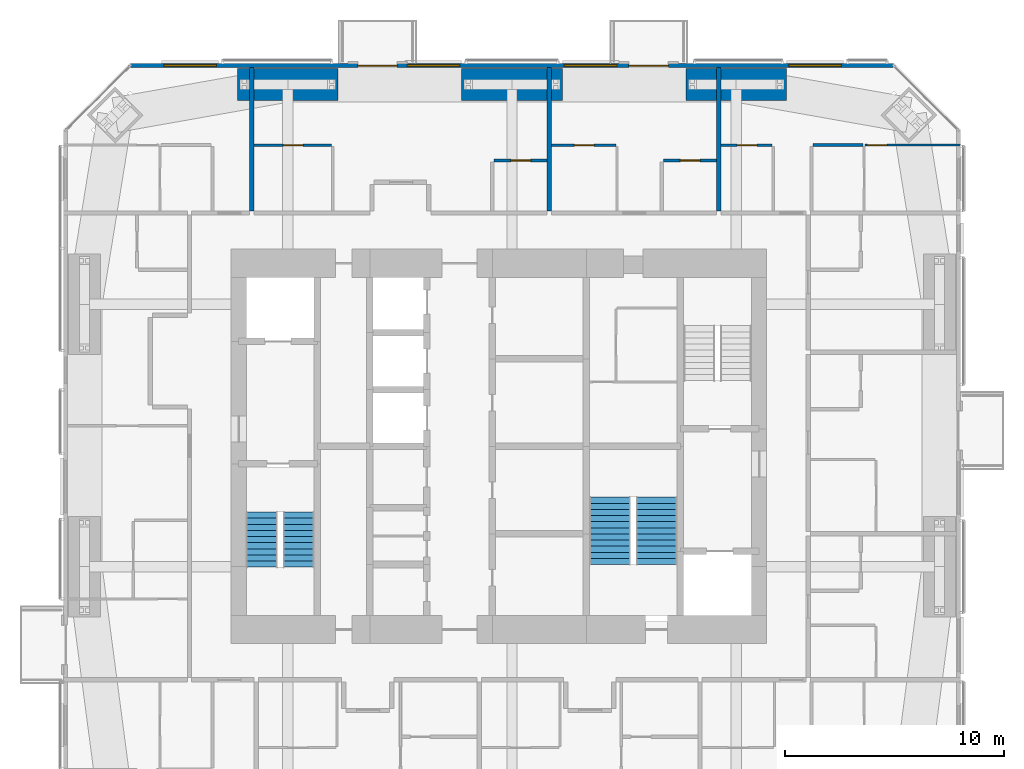
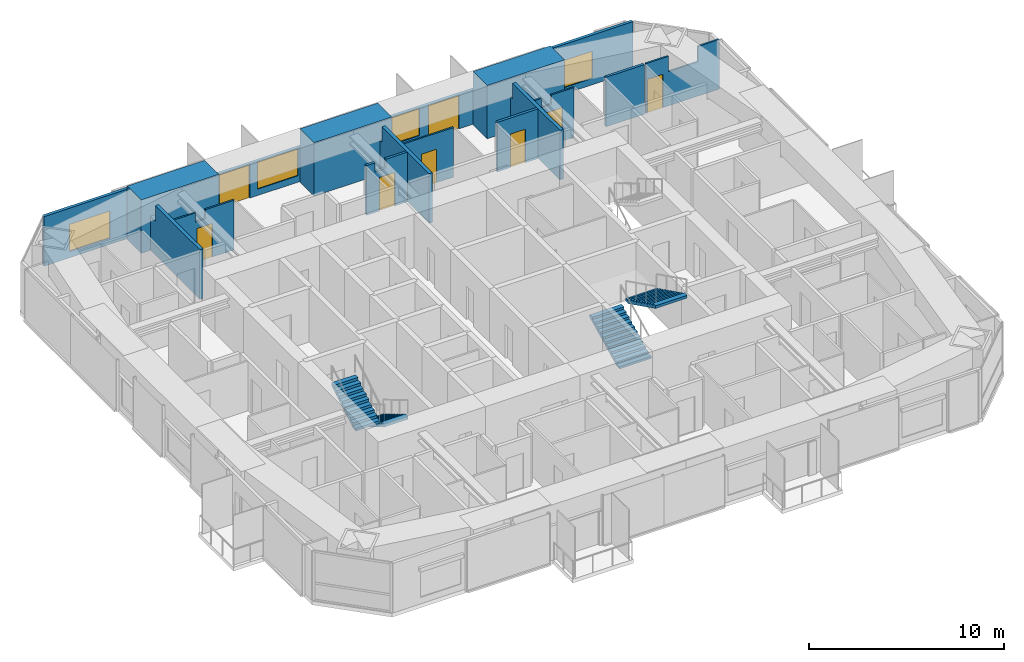
# One storey, part 21 of 23: 14 walls, 8 doors, 4 stair flights, 4 windows, 12 openings, 2 elements without a shape of their own.
"""IFC4 building model written with IfcOpenShell, lengths in metres."""

from ifc_helpers import new_model, si_unit, direction, frame, frame_2d, origin, place, context, subcontext, project, spatial, polyline, rectangle, outline, extrude, material, layer, layer_set, constituent, constituent_set, type_object, element, fill, aggregate, save


model = new_model("IFC4")

# Units and contexts
model_context = context("Model", 3, precision=1e-05, world=origin(), true_north=direction((0.0, 1.0)))
body_context = subcontext(model_context, "Body", "Model", "MODEL_VIEW")
ifc_project = project(units=[si_unit("LENGTHUNIT", "METRE"), si_unit("AREAUNIT", "SQUARE_METRE"), si_unit("VOLUMEUNIT", "CUBIC_METRE"), si_unit("PLANEANGLEUNIT", "RADIAN"), si_unit("MASSUNIT", "GRAM", prefix="KILO")], contexts=[model_context])

# Site, building, storey
site_placement = place(None, origin())
site = spatial("IfcSite", under=ifc_project, at=site_placement, CompositionType="ELEMENT")
building_placement = place(site_placement, origin())
building = spatial("IfcBuilding", under=site, at=building_placement, Name="Jalousie Tower", CompositionType="ELEMENT")
storey_placement = place(building_placement, frame((0.0, 0.0, 157.699951171875)))
storey = spatial("IfcBuildingStorey", under=building, at=storey_placement, Name="L42", CompositionType="ELEMENT", Elevation=157.699951171875)

# Wall, opening, door
ifc_material_1 = material(Name="Concrete block ASTM C90", Category="concrete")
ifc_constituent_1 = constituent(ifc_material_1, Name="Body")
ifc_material_2 = material(Name="Render")
ifc_constituent_2 = constituent(ifc_material_2, Name="Finish")
ifc_constituent_set_1 = constituent_set(constituents=[ifc_constituent_1, ifc_constituent_2])
wall_type_1 = type_object("IfcWallType", Name="BATHROOM WALL 150", PredefinedType="PLUMBINGWALL", material=ifc_constituent_set_1)
wall_1_placement = place(storey_placement, frame((31.675048828125, 31.574951171875, 0.0), z_axis=(0.0, 0.0, 1.0), x_axis=(1.0, 0.0, 0.0)))
wall_1 = element("IfcWall", 1, at=wall_1_placement, inside=storey, type_object=wall_type_1, Name="Bathroom Wall 150 L42", PredefinedType="PLUMBINGWALL", context=body_context, shape_type="SweptSolid", body=[
    extrude(outline(polyline([(0.0, 0.0), (2.425048828125, 0.0), (2.425048828125, 3.110107421875), (1.146240234375, 3.110107421875), (1.146240234375, 2.531005859375), (0.50390625, 2.531005859375), (0.50390625, 3.110107421875), (0.0, 3.110107421875), (0.0, 0.0)])), frame((0.0, 0.074951171875, 0.0), z_axis=(0.0, -1.0, 0.0), x_axis=(1.0, 0.0, 0.0)), (0.0, 0.0, 1.0), 0.14990234375),
])
opening_1_placement = place(wall_1_placement, frame((0.77490234375, 0.0, 0.0)))
opening_1 = element("IfcOpeningElement", 2, at=opening_1_placement, cuts=wall_1, Name="Opening D3", PredefinedType="OPENING", context=body_context, shape_type="SweptSolid", body=[
    extrude(rectangle(XDim=0.89990234375, YDim=2.10009765625, at=frame_2d((0.449951171875, 1.050048828125))), frame((0.0, 0.0849609375, 0.0), z_axis=(0.0, -1.0, 0.0), x_axis=(1.0, 0.0, 0.0)), (0.0, 0.0, 1.0), 0.169921875),
])
ifc_material_3 = material(Name="Timber door", Category="wood")
door_type_1 = type_object("IfcDoorType", Name="BATHROOM DOOR 900", OperationType="SINGLE_SWING_LEFT", PredefinedType="DOOR", material=ifc_material_3)
door_1_placement = place(opening_1_placement, frame((0.89990234375, 0.0, 0.0), z_axis=(0.0, 0.0, 1.0), x_axis=(-1.0, 0.0, 0.0)))
door_1 = element("IfcDoor", 3, at=door_1_placement, inside=storey, type_object=door_type_1, Name="Apartment 4206 bathroom door", OperationType="SINGLE_SWING_LEFT", OverallHeight=2.10009765625, OverallWidth=0.89990234375, PredefinedType="DOOR", context=body_context, shape_type="SweptSolid", body=[
    extrude(rectangle(XDim=0.89990234375, YDim=2.10009765625, at=frame_2d((0.449951171875, 1.050048828125))), frame((0.0, 0.02490234375, 0.0), z_axis=(0.0, -1.0, 0.0), x_axis=(1.0, 0.0, 0.0)), (0.0, 0.0, 1.0), 0.050048828125),
])
fill(opening_1, door_1)

wall_2_placement = place(storey_placement, frame((39.425048828125, 31.574951171875, 0.0), z_axis=(0.0, 0.0, 1.0), x_axis=(1.0, 0.0, 0.0)))
wall_2 = element("IfcWall", 4, at=wall_2_placement, inside=storey, type_object=wall_type_1, Name="Bathroom Wall 150 L42", PredefinedType="PLUMBINGWALL", context=body_context, shape_type="SweptSolid", body=[
    extrude(rectangle(XDim=2.425048828125, YDim=0.14990234375, at=frame_2d((1.21240234375, 0.0))), origin(), (0.0, 0.0, 1.0), 3.110107421875),
])
opening_2_placement = place(wall_2_placement, frame((0.77490234375, 0.0, 0.0)))
opening_2 = element("IfcOpeningElement", 5, at=opening_2_placement, cuts=wall_2, Name="Opening D3", PredefinedType="OPENING", context=body_context, shape_type="SweptSolid", body=[
    extrude(rectangle(XDim=0.89990234375, YDim=2.10009765625, at=frame_2d((0.449951171875, 1.050048828125))), frame((0.0, 0.0849609375, 0.0), z_axis=(0.0, -1.0, 0.0), x_axis=(1.0, 0.0, 0.0)), (0.0, 0.0, 1.0), 0.169921875),
])
door_2_placement = place(opening_2_placement, frame((0.89990234375, 0.0, 0.0), z_axis=(0.0, 0.0, 1.0), x_axis=(-1.0, 0.0, 0.0)))
door_2 = element("IfcDoor", 6, at=door_2_placement, inside=storey, type_object=door_type_1, Name="Apartment 4207 bathroom door", OperationType="SINGLE_SWING_LEFT", OverallHeight=2.10009765625, OverallWidth=0.89990234375, PredefinedType="DOOR", context=body_context, shape_type="SweptSolid", body=[
    extrude(rectangle(XDim=0.89990234375, YDim=2.10009765625, at=frame_2d((0.449951171875, 1.050048828125))), frame((0.0, 0.02490234375, 0.0), z_axis=(0.0, -1.0, 0.0), x_axis=(1.0, 0.0, 0.0)), (0.0, 0.0, 1.0), 0.050048828125),
])
fill(opening_2, door_2)

# Wall
wall_3_placement = place(storey_placement, frame((46.27490234375, 32.27880859375, 0.0), z_axis=(0.0, 0.0, 1.0), x_axis=(1.0, 0.0, 0.0)))
element("IfcWall", 7, at=wall_3_placement, inside=storey, type_object=wall_type_1, Name="Bathroom Wall 150 L42", PredefinedType="PLUMBINGWALL", context=body_context, shape_type="SweptSolid", body=[
    extrude(rectangle(XDim=2.275146484375, YDim=0.14990234375, at=frame_2d((1.1376953125, 0.0))), origin(), (0.0, 0.0, 1.0), 3.110107421875),
])

# Wall, openings, doors, windows
ifc_material_4 = material(Name="Concrete f'c 40 MPa", Category="concrete")
ifc_constituent_3 = constituent(ifc_material_4, Name="Body")
ifc_material_5 = material(Name="Render, pastel lemon")
ifc_constituent_4 = constituent(ifc_material_5, Name="Finish")
ifc_constituent_set_2 = constituent_set(constituents=[ifc_constituent_3, ifc_constituent_4])
wall_type_2 = type_object("IfcWallType", Name="EXTERNAL WALL 175 LEMON RENDER", PredefinedType="SOLIDWALL", material=ifc_constituent_set_2)
wall_4_placement = place(storey_placement, frame((49.94873046875, 35.91259765625, 0.0), z_axis=(0.0, 0.0, 1.0), x_axis=(-1.0, 0.0, 0.0)))
wall_4 = element("IfcWall", 8, at=wall_4_placement, inside=storey, type_object=wall_type_2, Name="External Wall 175 Lemon Render L42", PredefinedType="SOLIDWALL", context=body_context, shape_type="SweptSolid", body=[
    extrude(outline(polyline([(0.0, 0.0), (34.8974609375, 0.0), (34.8974609375, 3.110107421875), (27.91015625, 3.110107421875), (27.91015625, 2.150146484375), (27.8359375, 2.150146484375), (27.8359375, 3.110107421875), (27.69873046875, 3.110107421875), (27.69873046875, 2.150146484375), (7.19873046875, 2.150146484375), (7.19873046875, 3.110107421875), (7.0615234375, 3.110107421875), (7.0615234375, 2.150146484375), (6.9873046875, 2.150146484375), (6.9873046875, 3.110107421875), (0.0, 3.110107421875), (0.0, 0.0)])), frame((0.0, 0.08740234375, 0.0), z_axis=(0.0, -1.0, 0.0), x_axis=(1.0, 0.0, 0.0)), (0.0, 0.0, 1.0), 0.175048828125),
])
opening_3_placement = place(wall_4_placement, frame((2.389404296875, 0.0, 0.39990234375)))
opening_3 = element("IfcOpeningElement", 9, at=opening_3_placement, cuts=wall_4, Name="Opening W-LIV170", PredefinedType="OPENING", context=body_context, shape_type="SweptSolid", body=[
    extrude(rectangle(XDim=2.39990234375, YDim=1.699951171875, at=frame_2d((1.199951171875, 0.85009765625))), frame((0.0, 0.097412109375, 0.0), z_axis=(0.0, -1.0, 0.0), x_axis=(1.0, 0.0, 0.0)), (0.0, 0.0, 1.0), 0.195068359375),
])
opening_4_placement = place(wall_4_placement, frame((10.298583984375, 0.0, 0.0)))
opening_4 = element("IfcOpeningElement", 10, at=opening_4_placement, cuts=wall_4, Name="Opening D-BAL21", PredefinedType="OPENING", context=body_context, shape_type="SweptSolid", body=[
    extrude(rectangle(XDim=1.800048828125, YDim=2.10009765625, at=frame_2d((0.89990234375, 1.050048828125))), frame((0.0, 0.097412109375, 0.0), z_axis=(0.0, -1.0, 0.0), x_axis=(1.0, 0.0, 0.0)), (0.0, 0.0, 1.0), 0.195068359375),
])
opening_5_placement = place(wall_4_placement, frame((12.648681640625, 0.0, 0.39990234375)))
opening_5 = element("IfcOpeningElement", 11, at=opening_5_placement, cuts=wall_4, Name="Opening W-LIV170", PredefinedType="OPENING", context=body_context, shape_type="SweptSolid", body=[
    extrude(rectangle(XDim=2.39990234375, YDim=1.699951171875, at=frame_2d((1.199951171875, 0.85009765625))), frame((0.0, 0.097412109375, 0.0), z_axis=(0.0, -1.0, 0.0), x_axis=(1.0, 0.0, 0.0)), (0.0, 0.0, 1.0), 0.195068359375),
])
opening_6_placement = place(wall_4_placement, frame((22.69873046875, 0.0, 0.0)))
opening_6 = element("IfcOpeningElement", 12, at=opening_6_placement, cuts=wall_4, Name="Opening D-BAL21", PredefinedType="OPENING", context=body_context, shape_type="SweptSolid", body=[
    extrude(rectangle(XDim=1.800048828125, YDim=2.10009765625, at=frame_2d((0.89990234375, 1.050048828125))), frame((0.0, 0.097412109375, 0.0), z_axis=(0.0, -1.0, 0.0), x_axis=(1.0, 0.0, 0.0)), (0.0, 0.0, 1.0), 0.195068359375),
])
opening_7_placement = place(wall_4_placement, frame((19.8486328125, 0.0, 0.39990234375)))
opening_7 = element("IfcOpeningElement", 13, at=opening_7_placement, cuts=wall_4, Name="Opening W-LIV170", PredefinedType="OPENING", context=body_context, shape_type="SweptSolid", body=[
    extrude(rectangle(XDim=2.39990234375, YDim=1.699951171875, at=frame_2d((1.199951171875, 0.85009765625))), frame((0.0, 0.097412109375, 0.0), z_axis=(0.0, -1.0, 0.0), x_axis=(1.0, 0.0, 0.0)), (0.0, 0.0, 1.0), 0.195068359375),
])
opening_8_placement = place(wall_4_placement, frame((30.97314453125, 0.0, 0.39990234375)))
opening_8 = element("IfcOpeningElement", 14, at=opening_8_placement, cuts=wall_4, Name="Opening W-LIV170", PredefinedType="OPENING", context=body_context, shape_type="SweptSolid", body=[
    extrude(rectangle(XDim=2.39990234375, YDim=1.699951171875, at=frame_2d((1.199951171875, 0.85009765625))), frame((0.0, 0.097412109375, 0.0), z_axis=(0.0, -1.0, 0.0), x_axis=(1.0, 0.0, 0.0)), (0.0, 0.0, 1.0), 0.195068359375),
])
ifc_material_6 = material(Name="Aluminium frame, impact-rated glazing", Category="aluminium")
door_type_2 = type_object("IfcDoorType", Name="BALCONY DOOR 1800x2100", OperationType="SLIDING_TO_LEFT", PredefinedType="DOOR", material=ifc_material_6)
door_3_placement = place(opening_4_placement, origin())
door_3 = element("IfcDoor", 15, at=door_3_placement, inside=storey, type_object=door_type_2, Name="Apartment 4207 studio living and sleeping room balcony door", OperationType="SLIDING_TO_LEFT", OverallHeight=2.10009765625, OverallWidth=1.800048828125, PredefinedType="DOOR", context=body_context, shape_type="SweptSolid", body=[
    extrude(rectangle(XDim=1.800048828125, YDim=2.10009765625, at=frame_2d((0.89990234375, 1.050048828125))), frame((0.0, 0.02490234375, 0.0), z_axis=(0.0, -1.0, 0.0), x_axis=(1.0, 0.0, 0.0)), (0.0, 0.0, 1.0), 0.050048828125),
])
fill(opening_4, door_3)
door_4_placement = place(opening_6_placement, origin())
door_4 = element("IfcDoor", 16, at=door_4_placement, inside=storey, type_object=door_type_2, Name="Apartment 4206 studio living and sleeping room balcony door", OperationType="SLIDING_TO_LEFT", OverallHeight=2.10009765625, OverallWidth=1.800048828125, PredefinedType="DOOR", context=body_context, shape_type="SweptSolid", body=[
    extrude(rectangle(XDim=1.800048828125, YDim=2.10009765625, at=frame_2d((0.89990234375, 1.050048828125))), frame((0.0, 0.02490234375, 0.0), z_axis=(0.0, -1.0, 0.0), x_axis=(1.0, 0.0, 0.0)), (0.0, 0.0, 1.0), 0.050048828125),
])
fill(opening_6, door_4)
ifc_material_7 = material(Name="Aluminium frame, impact-rated glazing", Category="aluminium")
window_type = type_object("IfcWindowType", Name="WINDOW LIV 2400x1700", PartitioningType="DOUBLE_PANEL_VERTICAL", PredefinedType="WINDOW", material=ifc_material_7)
window_1_placement = place(opening_3_placement, origin())
window_1 = element("IfcWindow", 17, at=window_1_placement, inside=storey, type_object=window_type, Name="Apartment 4208 living and dining room window", OverallHeight=1.699951171875, OverallWidth=2.39990234375, PartitioningType="SINGLE_PANEL", PredefinedType="WINDOW", context=body_context, shape_type="SweptSolid", body=[
    extrude(rectangle(XDim=2.39990234375, YDim=1.699951171875, at=frame_2d((1.199951171875, 0.85009765625))), frame((0.0, 0.030029296875, 0.0), z_axis=(0.0, -1.0, 0.0), x_axis=(1.0, 0.0, 0.0)), (0.0, 0.0, 1.0), 0.06005859375),
])
fill(opening_3, window_1)
window_2_placement = place(opening_5_placement, origin())
window_2 = element("IfcWindow", 18, at=window_2_placement, inside=storey, type_object=window_type, Name="Apartment 4207 studio living and sleeping room window", OverallHeight=1.699951171875, OverallWidth=2.39990234375, PartitioningType="SINGLE_PANEL", PredefinedType="WINDOW", context=body_context, shape_type="SweptSolid", body=[
    extrude(rectangle(XDim=2.39990234375, YDim=1.699951171875, at=frame_2d((1.199951171875, 0.85009765625))), frame((0.0, 0.030029296875, 0.0), z_axis=(0.0, -1.0, 0.0), x_axis=(1.0, 0.0, 0.0)), (0.0, 0.0, 1.0), 0.06005859375),
])
fill(opening_5, window_2)
window_3_placement = place(opening_7_placement, origin())
window_3 = element("IfcWindow", 19, at=window_3_placement, inside=storey, type_object=window_type, Name="Apartment 4206 studio living and sleeping room window", OverallHeight=1.699951171875, OverallWidth=2.39990234375, PartitioningType="SINGLE_PANEL", PredefinedType="WINDOW", context=body_context, shape_type="SweptSolid", body=[
    extrude(rectangle(XDim=2.39990234375, YDim=1.699951171875, at=frame_2d((1.199951171875, 0.85009765625))), frame((0.0, 0.030029296875, 0.0), z_axis=(0.0, -1.0, 0.0), x_axis=(1.0, 0.0, 0.0)), (0.0, 0.0, 1.0), 0.06005859375),
])
fill(opening_7, window_3)
window_4_placement = place(opening_8_placement, origin())
window_4 = element("IfcWindow", 20, at=window_4_placement, inside=storey, type_object=window_type, Name="Apartment 4205 living, dining and kitchen window", OverallHeight=1.699951171875, OverallWidth=2.39990234375, PartitioningType="SINGLE_PANEL", PredefinedType="WINDOW", context=body_context, shape_type="SweptSolid", body=[
    extrude(rectangle(XDim=2.39990234375, YDim=1.699951171875, at=frame_2d((1.199951171875, 0.85009765625))), frame((0.0, 0.030029296875, 0.0), z_axis=(0.0, -1.0, 0.0), x_axis=(1.0, 0.0, 0.0)), (0.0, 0.0, 1.0), 0.06005859375),
])
fill(opening_8, window_4)

# Wall, opening, door
ifc_material_8 = material(Name="Gypsum board", Category="gypsum")
ifc_constituent_5 = constituent(ifc_material_8, Name="Body")
ifc_material_9 = material(Name="Light-gauge steel studs ASTM A653 SS Grade 33", Category="steel")
ifc_constituent_6 = constituent(ifc_material_9, Name="Framing")
ifc_constituent_set_3 = constituent_set(constituents=[ifc_constituent_5, ifc_constituent_6])
wall_type_3 = type_object("IfcWallType", Name="PARTITION 100", PredefinedType="PARTITIONING", material=ifc_constituent_set_3)
wall_5_placement = place(storey_placement, frame((20.699951171875, 32.27490234375, 0.0), z_axis=(0.0, 0.0, 1.0), x_axis=(1.0, 0.0, 0.0)))
wall_5 = element("IfcWall", 21, at=wall_5_placement, inside=storey, type_object=wall_type_3, Name="Partition 100 L42", PredefinedType="PARTITIONING", context=body_context, shape_type="SweptSolid", body=[
    extrude(outline(polyline([(0.0, 0.0), (3.550048828125, 0.0), (3.550048828125, 3.110107421875), (1.84619140625, 3.110107421875), (1.84619140625, 2.531005859375), (1.25390625, 2.531005859375), (1.25390625, 3.110107421875), (0.0, 3.110107421875), (0.0, 0.0)])), frame((0.0, 0.050048828125, 0.0), z_axis=(0.0, -1.0, 0.0), x_axis=(1.0, 0.0, 0.0)), (0.0, 0.0, 1.0), 0.10009765625),
])
opening_9_placement = place(wall_5_placement, frame((1.35009765625, 0.0, 0.0)))
opening_9 = element("IfcOpeningElement", 22, at=opening_9_placement, cuts=wall_5, Name="Opening D7", PredefinedType="OPENING", context=body_context, shape_type="SweptSolid", body=[
    extrude(rectangle(XDim=0.89990234375, YDim=2.10009765625, at=frame_2d((0.449951171875, 1.050048828125))), frame((0.0, 0.06005859375, 0.0), z_axis=(0.0, -1.0, 0.0), x_axis=(1.0, 0.0, 0.0)), (0.0, 0.0, 1.0), 0.1201171875),
])
ifc_material_10 = material(Name="Timber door", Category="wood")
door_type_3 = type_object("IfcDoorType", Name="INTERNAL DOOR 900", OperationType="SINGLE_SWING_LEFT", PredefinedType="DOOR", material=ifc_material_10)
door_5_placement = place(opening_9_placement, frame((0.89990234375, 0.0, 0.0), z_axis=(0.0, 0.0, 1.0), x_axis=(-1.0, 0.0, 0.0)))
door_5 = element("IfcDoor", 23, at=door_5_placement, inside=storey, type_object=door_type_3, Name="Apartment 4206 kitchen door", OperationType="SINGLE_SWING_LEFT", OverallHeight=2.10009765625, OverallWidth=0.89990234375, PredefinedType="DOOR", context=body_context, shape_type="SweptSolid", body=[
    extrude(rectangle(XDim=0.89990234375, YDim=2.10009765625, at=frame_2d((0.449951171875, 1.050048828125))), frame((0.0, 0.02490234375, 0.0), z_axis=(0.0, -1.0, 0.0), x_axis=(1.0, 0.0, 0.0)), (0.0, 0.0, 1.0), 0.050048828125),
])
fill(opening_9, door_5)

wall_6_placement = place(storey_placement, frame((34.300048828125, 32.27490234375, 0.0), z_axis=(0.0, 0.0, 1.0), x_axis=(1.0, 0.0, 0.0)))
wall_6 = element("IfcWall", 24, at=wall_6_placement, inside=storey, type_object=wall_type_3, Name="Partition 100 L42", PredefinedType="PARTITIONING", context=body_context, shape_type="SweptSolid", body=[
    extrude(rectangle(XDim=2.949951171875, YDim=0.10009765625, at=frame_2d((1.47509765625, 0.0))), origin(), (0.0, 0.0, 1.0), 3.110107421875),
])
opening_10_placement = place(wall_6_placement, frame((1.050048828125, 0.0, 0.0)))
opening_10 = element("IfcOpeningElement", 25, at=opening_10_placement, cuts=wall_6, Name="Opening D7", PredefinedType="OPENING", context=body_context, shape_type="SweptSolid", body=[
    extrude(rectangle(XDim=0.89990234375, YDim=2.10009765625, at=frame_2d((0.449951171875, 1.050048828125))), frame((0.0, 0.06005859375, 0.0), z_axis=(0.0, -1.0, 0.0), x_axis=(1.0, 0.0, 0.0)), (0.0, 0.0, 1.0), 0.1201171875),
])
door_6_placement = place(opening_10_placement, frame((0.89990234375, 0.0, 0.0), z_axis=(0.0, 0.0, 1.0), x_axis=(-1.0, 0.0, 0.0)))
door_6 = element("IfcDoor", 26, at=door_6_placement, inside=storey, type_object=door_type_3, Name="Apartment 4207 kitchen door", OperationType="SINGLE_SWING_LEFT", OverallHeight=2.10009765625, OverallWidth=0.89990234375, PredefinedType="DOOR", context=body_context, shape_type="SweptSolid", body=[
    extrude(rectangle(XDim=0.89990234375, YDim=2.10009765625, at=frame_2d((0.449951171875, 1.050048828125))), frame((0.0, 0.02490234375, 0.0), z_axis=(0.0, -1.0, 0.0), x_axis=(1.0, 0.0, 0.0)), (0.0, 0.0, 1.0), 0.050048828125),
])
fill(opening_10, door_6)

wall_7_placement = place(storey_placement, frame((48.64990234375, 32.27880859375, 0.0), z_axis=(0.0, 0.0, 1.0), x_axis=(1.0, 0.0, 0.0)))
wall_7 = element("IfcWall", 27, at=wall_7_placement, inside=storey, type_object=wall_type_3, Name="Partition 100 L42", PredefinedType="PARTITIONING", context=body_context, shape_type="SweptSolid", body=[
    extrude(outline(polyline([(0.0, 0.0), (4.35009765625, 0.0), (4.35009765625, 3.110107421875), (3.094482421875, 3.110107421875), (3.094482421875, 2.150146484375), (1.352294921875, 2.150146484375), (1.352294921875, 3.110107421875), (0.0, 3.110107421875), (0.0, 0.0)])), frame((0.0, 0.050048828125, 0.0), z_axis=(0.0, -1.0, 0.0), x_axis=(1.0, 0.0, 0.0)), (0.0, 0.0, 1.0), 0.10009765625),
])
opening_11_placement = place(wall_7_placement, frame((0.10009765625, 0.0, 0.0)))
opening_11 = element("IfcOpeningElement", 28, at=opening_11_placement, cuts=wall_7, Name="Opening D2", PredefinedType="OPENING", context=body_context, shape_type="SweptSolid", body=[
    extrude(rectangle(XDim=0.89990234375, YDim=2.10009765625, at=frame_2d((0.449951171875, 1.050048828125))), frame((0.0, 0.06005859375, 0.0), z_axis=(0.0, -1.0, 0.0), x_axis=(1.0, 0.0, 0.0)), (0.0, 0.0, 1.0), 0.1201171875),
])
ifc_material_11 = material(Name="Timber door", Category="wood")
door_type_4 = type_object("IfcDoorType", Name="BEDROOM DOOR 900", OperationType="SINGLE_SWING_LEFT", PredefinedType="DOOR", material=ifc_material_11)
door_7_placement = place(opening_11_placement, frame((0.89990234375, 0.0, 0.0), z_axis=(0.0, 0.0, 1.0), x_axis=(-1.0, 0.0, 0.0)))
door_7 = element("IfcDoor", 29, at=door_7_placement, inside=storey, type_object=door_type_4, Name="Apartment 4208 bedroom 1 door", OperationType="SINGLE_SWING_RIGHT", OverallHeight=2.10009765625, OverallWidth=0.89990234375, PredefinedType="DOOR", context=body_context, shape_type="SweptSolid", body=[
    extrude(rectangle(XDim=0.89990234375, YDim=2.10009765625, at=frame_2d((0.449951171875, 1.050048828125))), frame((0.0, 0.02490234375, 0.0), z_axis=(0.0, -1.0, 0.0), x_axis=(1.0, 0.0, 0.0)), (0.0, 0.0, 1.0), 0.050048828125),
])
fill(opening_11, door_7)

wall_8_placement = place(storey_placement, frame((42.050048828125, 32.27490234375, 0.0), z_axis=(0.0, 0.0, 1.0), x_axis=(1.0, 0.0, 0.0)))
wall_8 = element("IfcWall", 30, at=wall_8_placement, inside=storey, type_object=wall_type_3, Name="Partition 100 L42", PredefinedType="PARTITIONING", context=body_context, shape_type="SweptSolid", body=[
    extrude(outline(polyline([(0.0, 0.0), (2.349853515625, 0.0), (2.35009765625, 3.110107421875), (0.99609375, 3.110107421875), (0.99609375, 2.531005859375), (0.40380859375, 2.531005859375), (0.40380859375, 3.110107421875), (0.0, 3.110107421875), (0.0, 0.0)])), frame((0.0, 0.050048828125, 0.0), z_axis=(0.0, -1.0, 0.0), x_axis=(1.0, 0.0, 0.0)), (0.0, 0.0, 1.0), 0.10009765625),
])
opening_12_placement = place(wall_8_placement, frame((0.75, 0.0, 0.0)))
opening_12 = element("IfcOpeningElement", 31, at=opening_12_placement, cuts=wall_8, Name="Opening D7", PredefinedType="OPENING", context=body_context, shape_type="SweptSolid", body=[
    extrude(rectangle(XDim=0.89990234375, YDim=2.10009765625, at=frame_2d((0.449951171875, 1.050048828125))), frame((0.0, 0.06005859375, 0.0), z_axis=(0.0, -1.0, 0.0), x_axis=(1.0, 0.0, 0.0)), (0.0, 0.0, 1.0), 0.1201171875),
])
door_8_placement = place(opening_12_placement, origin())
door_8 = element("IfcDoor", 32, at=door_8_placement, inside=storey, type_object=door_type_3, Name="Apartment 4208 kitchen door", OperationType="SINGLE_SWING_LEFT", OverallHeight=2.10009765625, OverallWidth=0.89990234375, PredefinedType="DOOR", context=body_context, shape_type="SweptSolid", body=[
    extrude(rectangle(XDim=0.89990234375, YDim=2.10009765625, at=frame_2d((0.449951171875, 1.050048828125))), frame((0.0, 0.02490234375, 0.0), z_axis=(0.0, -1.0, 0.0), x_axis=(1.0, 0.0, 0.0)), (0.0, 0.0, 1.0), 0.050048828125),
])
fill(opening_12, door_8)

# Walls
ifc_material_12 = material(Name="Concrete block ASTM C90", Category="concrete")
ifc_constituent_7 = constituent(ifc_material_12, Name="Body")
ifc_material_13 = material(Name="Render")
ifc_constituent_8 = constituent(ifc_material_13, Name="Finish")
ifc_constituent_set_4 = constituent_set(constituents=[ifc_constituent_7, ifc_constituent_8])
wall_type_4 = type_object("IfcWallType", Name="PARTY WALL 200", PredefinedType="PARTITIONING", material=ifc_constituent_set_4)
wall_9_placement = place(storey_placement, frame((20.60009765625, 35.824951171875, 0.0), z_axis=(0.0, 0.0, 1.0), x_axis=(0.0, -1.0, 0.0)))
element("IfcWall", 33, at=wall_9_placement, inside=storey, type_object=wall_type_4, Name="Party Wall 200 L42", PredefinedType="PARTITIONING", context=body_context, shape_type="SweptSolid", body=[
    extrude(outline(polyline([(0.142822265625, 3.110107421875), (0.0, 3.110107421875), (0.0, 0.0), (0.52880859375, 0.0), (0.52880859375, 0.16455078125), (1.021240234375, 0.16455078125), (1.021240234375, 0.0), (6.550048828125, 0.0), (6.550048828125, 3.110107421875), (1.9912109375, 3.110107421875), (1.9912109375, 2.150146484375), (1.021240234375, 2.150146484375), (1.021240234375, 1.9853515625), (0.52880859375, 1.9853515625), (0.52880859375, 2.150146484375), (0.142822265625, 2.150146484375), (0.142822265625, 3.110107421875)])), frame((0.0, 0.10009765625, 0.0), z_axis=(0.0, -1.0, 0.0), x_axis=(1.0, 0.0, 0.0)), (0.0, 0.0, 1.0), 0.199951171875),
])
wall_10_placement = place(storey_placement, frame((34.199951171875, 35.824951171875, 0.0), z_axis=(0.0, 0.0, 1.0), x_axis=(0.0, -1.0, 0.0)))
element("IfcWall", 34, at=wall_10_placement, inside=storey, type_object=wall_type_4, Name="Party Wall 200 L42", PredefinedType="PARTITIONING", context=body_context, shape_type="SweptSolid", body=[
    extrude(outline(polyline([(0.52880859375, 2.150146484375), (0.0, 2.150146484375), (0.0, 0.0), (0.52880859375, 0.0), (0.52880859375, 0.122802734375), (1.021240234375, 0.122802734375), (1.021240234375, 0.0), (6.550048828125, 0.0), (6.550048828125, 3.110107421875), (1.68505859375, 3.110107421875), (1.68505859375, 2.150146484375), (1.021240234375, 2.150146484375), (1.021240234375, 2.02734375), (0.52880859375, 2.02734375), (0.52880859375, 2.150146484375)])), frame((0.0, 0.10009765625, 0.0), z_axis=(0.0, -1.0, 0.0), x_axis=(1.0, 0.0, 0.0)), (0.0, 0.0, 1.0), 0.199951171875),
])
wall_11_placement = place(storey_placement, frame((41.949951171875, 35.824951171875, 0.0), z_axis=(0.0, 0.0, 1.0), x_axis=(0.0, -1.0, 0.0)))
element("IfcWall", 35, at=wall_11_placement, inside=storey, type_object=wall_type_4, Name="Party Wall 200 L42", PredefinedType="PARTITIONING", context=body_context, shape_type="SweptSolid", body=[
    extrude(outline(polyline([(0.52880859375, 2.150146484375), (0.0, 2.150146484375), (0.0, 0.0), (0.52880859375, 0.0), (0.52880859375, 0.87646484375), (1.021240234375, 0.87646484375), (1.021240234375, 0.0), (6.550048828125, 0.0), (6.550048828125, 3.110107421875), (1.68505859375, 3.110107421875), (1.68505859375, 2.150146484375), (1.021240234375, 2.150146484375), (1.021240234375, 1.273681640625), (0.52880859375, 1.273681640625), (0.52880859375, 2.150146484375)])), frame((0.0, 0.10009765625, 0.0), z_axis=(0.0, -1.0, 0.0), x_axis=(1.0, 0.0, 0.0)), (0.0, 0.0, 1.0), 0.199951171875),
])
ifc_material_14 = material(Name="Concrete f'c 120 MPa", Category="concrete")
ifc_layer = layer(ifc_material_14, 1.449951171875)
ifc_layer_set = layer_set([ifc_layer], Name="Concrete f'c 120 MPa")
wall_type_5 = type_object("IfcWallType", Name="RC WALL PIER 1450", PredefinedType="SHEAR", material=ifc_layer_set)
for number, where, z_axis, x_axis, name in (
    (36, (40.449951171875, 35.050048828125, 0.0), (0.0, 0.0, 1.0), (1.0, 0.0, 0.0), "Wall pier 09 L42"),
    (37, (30.199951171875, 35.050048828125, 0.0), (0.0, 0.0, 1.0), (1.0, 0.0, 0.0), "Wall pier 10 L42"),
    (38, (19.949951171875, 35.050048828125, 0.0), (0.0, 0.0, 1.0), (1.0, 0.0, 0.0), "Wall pier 11 L42"),
):
    element("IfcWall", number, at=place(storey_placement, frame(where, z_axis=z_axis, x_axis=x_axis)), inside=storey, type_object=wall_type_5, Name=name, PredefinedType="SHEAR", context=body_context, shape_type="SweptSolid", body=[
        extrude(rectangle(XDim=4.60009765625, YDim=1.449951171875, at=frame_2d((2.300048828125, 0.0))), origin(), (0.0, 0.0, 1.0), 3.35009765625),
    ])

# Stair, stair flights
ifc_material_15 = material(Name="Concrete f'c 40 MPa", Category="concrete")
stair_type = type_object("IfcStairType", Name="EXIT STAIR", PredefinedType="HALF_TURN_STAIR", material=ifc_material_15)
stair_1_placement = place(storey_placement, origin())
stair_1 = element("IfcStair", 39, at=stair_1_placement, inside=storey, type_object=stair_type, Name="Exit stair A L42", PredefinedType="HALF_TURN_STAIR")
ifc_material_16 = material(Name="Concrete f'c 40 MPa", Category="concrete")
stair_flight_type = type_object("IfcStairFlightType", Name="STAIR FLIGHT", PredefinedType="STRAIGHT", material=ifc_material_16)
stair_flight_1_placement = place(storey_placement, frame((22.737548828125, 15.49755859375, 0.0), z_axis=(0.0, 0.0, 1.0), x_axis=(0.0, -1.0, 0.0)))
stair_flight_1 = element("IfcStairFlight", 40, at=stair_flight_1_placement, type_object=stair_flight_type, Name="ST-A flight 1", NumberOfRisers=10, NumberOfTreads=9, PredefinedType="STRAIGHT", RiserHeight=0.1675, TreadLength=0.28, context=body_context, shape_type="SweptSolid", body=[
    extrude(outline(polyline([(0.0, 0.0), (0.0, 0.16748046875), (0.280029296875, 0.16748046875), (0.280029296875, 0.3349609375), (0.56005859375, 0.3349609375), (0.56005859375, 0.50244140625), (0.840087890625, 0.50244140625), (0.840087890625, 0.669921875), (1.1201171875, 0.669921875), (1.1201171875, 0.83740234375), (1.39990234375, 0.83740234375), (1.39990234375, 1.0048828125), (1.679931640625, 1.0048828125), (1.679931640625, 1.172607421875), (1.9599609375, 1.172607421875), (1.9599609375, 1.340087890625), (2.239990234375, 1.340087890625), (2.239990234375, 1.507568359375), (2.52001953125, 1.507568359375), (2.52001953125, 1.675048828125), (2.52001953125, 1.332763671875), (0.2919921875, 0.0), (0.0, 0.0)])), frame((0.0, 0.71240234375, 0.0), z_axis=(0.0, -1.0, 0.0), x_axis=(1.0, 0.0, 0.0)), (0.0, 0.0, 1.0), 1.425048828125),
])
stair_flight_2_placement = place(storey_placement, frame((21.0625, 12.9775390625, 1.675048828125), z_axis=(0.0, 0.0, 1.0), x_axis=(0.0, 1.0, 0.0)))
stair_flight_2 = element("IfcStairFlight", 41, at=stair_flight_2_placement, type_object=stair_flight_type, Name="ST-A flight 2", NumberOfRisers=10, NumberOfTreads=9, PredefinedType="STRAIGHT", RiserHeight=0.1675, TreadLength=0.28, context=body_context, shape_type="SweptSolid", body=[
    extrude(outline(polyline([(0.0, 0.0), (0.0, 0.16748046875), (0.280029296875, 0.16748046875), (0.280029296875, 0.3349609375), (0.56005859375, 0.3349609375), (0.56005859375, 0.50244140625), (0.840087890625, 0.50244140625), (0.840087890625, 0.669921875), (1.1201171875, 0.669921875), (1.1201171875, 0.83740234375), (1.39990234375, 0.83740234375), (1.39990234375, 1.0048828125), (1.679931640625, 1.0048828125), (1.679931640625, 1.172607421875), (1.9599609375, 1.172607421875), (1.9599609375, 1.340087890625), (2.239990234375, 1.340087890625), (2.239990234375, 1.507568359375), (2.52001953125, 1.507568359375), (2.52001953125, 1.675048828125), (2.52001953125, 1.332763671875), (0.2919921875, 0.0), (0.0, 0.0)])), frame((0.0, 0.71240234375, 0.0), z_axis=(0.0, -1.0, 0.0), x_axis=(1.0, 0.0, 0.0)), (0.0, 0.0, 1.0), 1.425048828125),
])
aggregate(stair_1, [stair_flight_1, stair_flight_2])

stair_2_placement = place(storey_placement, origin())
stair_2 = element("IfcStair", 42, at=stair_2_placement, inside=storey, type_object=stair_type, Name="Exit stair C L42", PredefinedType="HALF_TURN_STAIR")
stair_flight_3_placement = place(storey_placement, frame((36.987548828125, 13.097412109375, 0.0), z_axis=(0.0, 0.0, 1.0), x_axis=(0.0, 1.0, 0.0)))
stair_flight_3 = element("IfcStairFlight", 43, at=stair_flight_3_placement, type_object=stair_flight_type, Name="ST-C flight 1", NumberOfRisers=12, NumberOfTreads=11, PredefinedType="STRAIGHT", RiserHeight=0.139583333, TreadLength=0.28, context=body_context, shape_type="SweptSolid", body=[
    extrude(outline(polyline([(0.0, 0.0), (0.0, 0.1396484375), (0.280029296875, 0.1396484375), (0.280029296875, 0.279052734375), (0.56005859375, 0.279052734375), (0.56005859375, 0.418701171875), (0.840087890625, 0.418701171875), (0.840087890625, 0.558349609375), (1.1201171875, 0.558349609375), (1.1201171875, 0.697998046875), (1.39990234375, 0.697998046875), (1.39990234375, 0.83740234375), (1.679931640625, 0.83740234375), (1.679931640625, 0.97705078125), (1.9599609375, 0.97705078125), (1.9599609375, 1.11669921875), (2.239990234375, 1.11669921875), (2.239990234375, 1.25634765625), (2.52001953125, 1.25634765625), (2.52001953125, 1.395751953125), (2.800048828125, 1.395751953125), (2.800048828125, 1.535400390625), (3.080078125, 1.535400390625), (3.080078125, 1.675048828125), (3.080078125, 1.367919921875), (0.3359375, 0.0), (0.0, 0.0)])), frame((0.0, 0.9375, 0.0), z_axis=(0.0, -1.0, 0.0), x_axis=(1.0, 0.0, 0.0)), (0.0, 0.0, 1.0), 1.875),
])
stair_flight_4_placement = place(storey_placement, frame((39.112548828125, 16.177490234375, 1.675048828125), z_axis=(0.0, 0.0, 1.0), x_axis=(0.0, -1.0, 0.0)))
stair_flight_4 = element("IfcStairFlight", 44, at=stair_flight_4_placement, type_object=stair_flight_type, Name="ST-C flight 2", NumberOfRisers=12, NumberOfTreads=11, PredefinedType="STRAIGHT", RiserHeight=0.139583333, TreadLength=0.28, context=body_context, shape_type="SweptSolid", body=[
    extrude(outline(polyline([(0.0, 0.0), (0.0, 0.1396484375), (0.280029296875, 0.1396484375), (0.280029296875, 0.279052734375), (0.56005859375, 0.279052734375), (0.56005859375, 0.418701171875), (0.840087890625, 0.418701171875), (0.840087890625, 0.558349609375), (1.1201171875, 0.558349609375), (1.1201171875, 0.697998046875), (1.39990234375, 0.697998046875), (1.39990234375, 0.83740234375), (1.679931640625, 0.83740234375), (1.679931640625, 0.97705078125), (1.9599609375, 0.97705078125), (1.9599609375, 1.11669921875), (2.239990234375, 1.11669921875), (2.239990234375, 1.25634765625), (2.52001953125, 1.25634765625), (2.52001953125, 1.395751953125), (2.800048828125, 1.395751953125), (2.800048828125, 1.535400390625), (3.080078125, 1.535400390625), (3.080078125, 1.675048828125), (3.080078125, 1.367919921875), (0.3359375, 0.0), (0.0, 0.0)])), frame((0.0, 0.9375, 0.0), z_axis=(0.0, -1.0, 0.0), x_axis=(1.0, 0.0, 0.0)), (0.0, 0.0, 1.0), 1.875),
])
aggregate(stair_2, [stair_flight_3, stair_flight_4])

save(model, "model.ifc")
